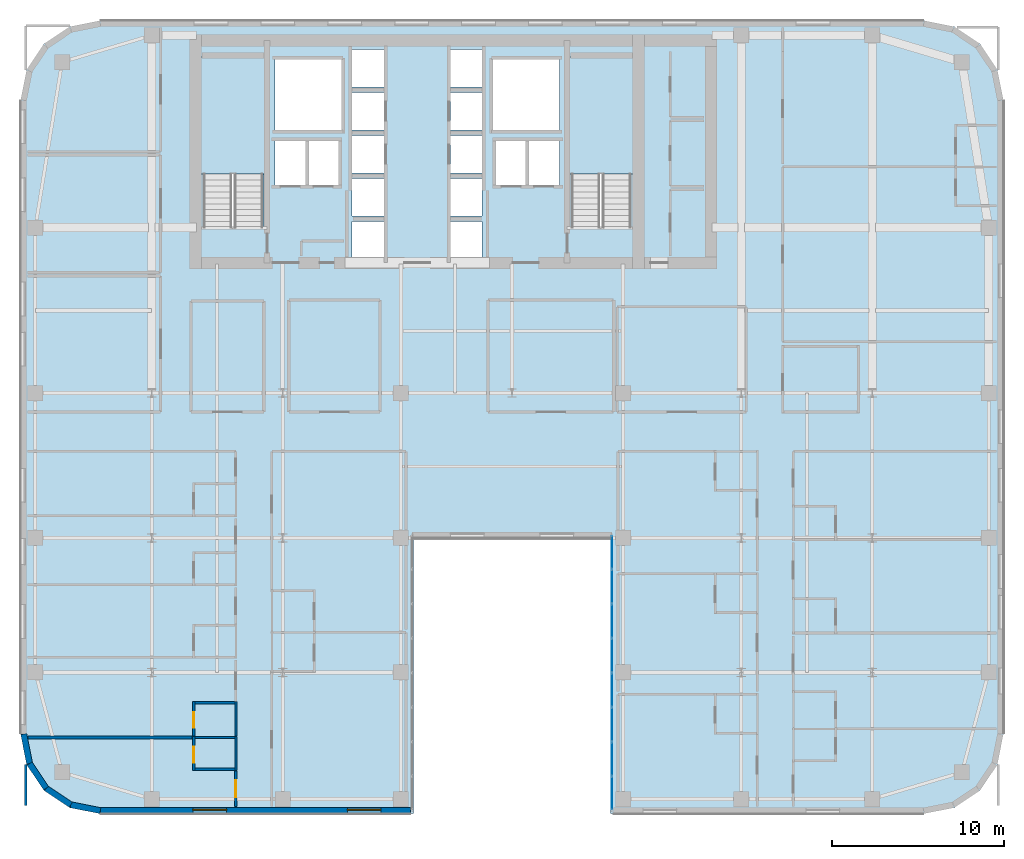
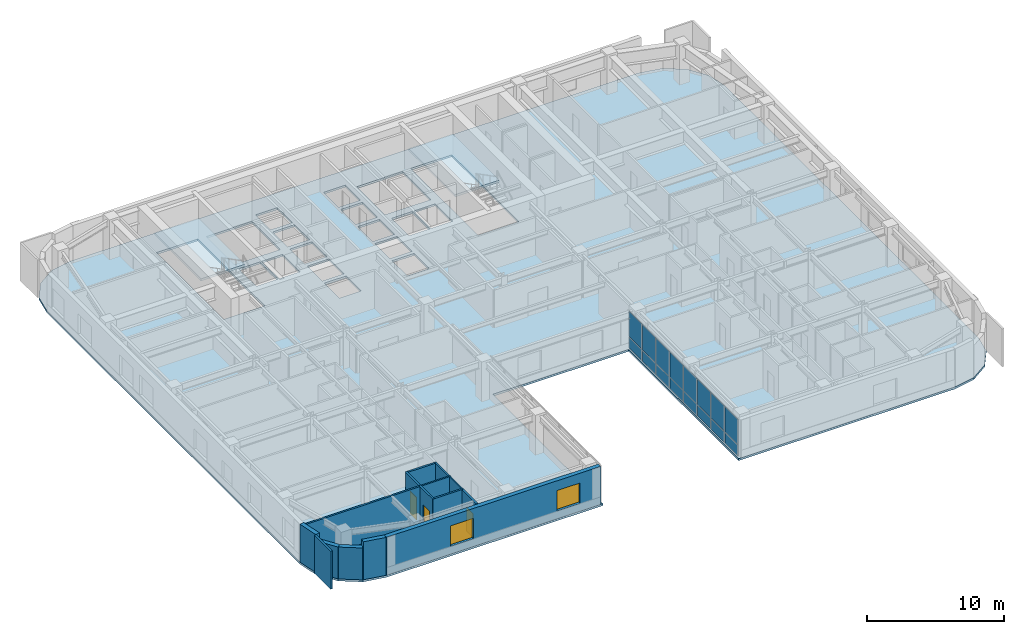
# One storey, part 13 of 25: 16 plates, 15 walls, 3 doors, 3 slabs, 2 windows, 5 openings, 3 elements without a shape of their own.
"""IFC4 building model written with IfcOpenShell, lengths in metres."""

from ifc_helpers import new_model, si_unit, direction, frame, frame_2d, origin, origin_2d, place, context, subcontext, project, spatial, polyline, rectangle, outline, extrude, source, transform, mapped, material, layer, layer_set, type_object, type_shapes, element, fill, aggregate, save


model = new_model("IFC4")

# Units and contexts
model_context = context("Model", 3, precision=1e-05, world=origin(), true_north=direction((0.0, 1.0)))
body_context = subcontext(model_context, "Body", "Model", "MODEL_VIEW")
ifc_project = project(units=[si_unit("LENGTHUNIT", "METRE"), si_unit("AREAUNIT", "SQUARE_METRE"), si_unit("VOLUMEUNIT", "CUBIC_METRE"), si_unit("PLANEANGLEUNIT", "RADIAN"), si_unit("MASSUNIT", "GRAM", prefix="KILO")], contexts=[model_context])

# Site, building, storey
site_placement = place(None, origin())
site = spatial("IfcSite", under=ifc_project, at=site_placement, CompositionType="ELEMENT")
building_placement = place(site_placement, origin())
building = spatial("IfcBuilding", under=site, at=building_placement, Name="Tolvann Quenvar Hotel", CompositionType="ELEMENT")
storey_placement = place(building_placement, frame((0.0, 0.0, 111.550048828125)))
storey = spatial("IfcBuildingStorey", under=building, at=storey_placement, Name="L28", CompositionType="ELEMENT", Elevation=111.550048828125)

# Stair, slab
ifc_material_1 = material(Name="Concrete N40 (40 MPa)", Category="concrete")
stair_type = type_object("IfcStairType", Name="STAIR", PredefinedType="HALF_TURN_STAIR", material=ifc_material_1)
stair_1_placement = place(storey_placement, origin())
stair_1 = element("IfcStair", 1, at=stair_1_placement, inside=storey, type_object=stair_type, Name="L28 ST-C1", PredefinedType="HALF_TURN_STAIR")
ifc_layer_1 = layer(ifc_material_1, 0.199951171875)
ifc_layer_set_1 = layer_set([ifc_layer_1], Name="Concrete N40 (40 MPa)")
slab_type_1 = type_object("IfcSlabType", Name="SLAB_LANDING", PredefinedType="LANDING", material=ifc_layer_set_1)
slab_1_placement = place(storey_placement, frame((0.0, 0.0, 1.574951171875)))
slab_1 = element("IfcSlab", 2, at=slab_1_placement, type_object=slab_type_1, Name="ST-C1 landing 1", PredefinedType="LANDING", context=body_context, shape_type="SweptSolid", body=[
    extrude(outline(polyline([(14.179931640625, 37.10498046875), (14.179931640625, 43.8798828125), (10.469970703125, 43.8798828125), (10.469970703125, 37.10498046875), (14.179931640625, 37.10498046875)])), origin(), (0.0, 0.0, 1.0), 0.199951171875),
])
aggregate(stair_1, [slab_1])

stair_2_placement = place(storey_placement, origin())
stair_2 = element("IfcStair", 3, at=stair_2_placement, inside=storey, type_object=stair_type, Name="L28 ST-C2", PredefinedType="HALF_TURN_STAIR")
slab_2_placement = place(storey_placement, frame((0.0, 0.0, 1.574951171875)))
slab_2 = element("IfcSlab", 4, at=slab_2_placement, type_object=slab_type_1, Name="ST-C2 landing 1", PredefinedType="LANDING", context=body_context, shape_type="SweptSolid", body=[
    extrude(outline(polyline([(35.530029296875, 37.10498046875), (35.530029296875, 43.8798828125), (31.820068359375, 43.8798828125), (31.820068359375, 37.10498046875), (35.530029296875, 37.10498046875)])), origin(), (0.0, 0.0, 1.0), 0.199951171875),
])
aggregate(stair_2, [slab_2])

# Slab
ifc_layer_2 = layer(ifc_material_1, 0.179931640625)
ifc_layer_set_2 = layer_set([ifc_layer_2], Name="Concrete N40 (40 MPa)")
slab_type_2 = type_object("IfcSlabType", Name="SLAB_TWR_180", PredefinedType="FLOOR", material=ifc_layer_set_2)
slab_3_placement = place(storey_placement, frame((0.0, 0.0, -0.179931640625)))
element("IfcSlab", 5, at=slab_3_placement, inside=storey, type_object=slab_type_2, Name="Level L28 Structural Floor Slab", PredefinedType="FLOOR", context=body_context, shape_type="SweptSolid", body=[
    extrude(outline(polyline([(0.0, 4.60009765625), (0.35009765625, 2.839599609375), (1.347412109375, 1.347412109375), (2.839599609375, 0.35009765625), (4.60009765625, 0.0), (22.800048828125, 0.0), (22.800048828125, 16.0), (34.199951171875, 16.0), (34.199951171875, 0.0), (52.39990234375, 0.0), (54.160400390625, 0.35009765625), (55.652587890625, 1.347412109375), (56.64990234375, 2.839599609375), (57.0, 4.60009765625), (57.0, 41.39990234375), (56.64990234375, 43.160400390625), (55.652587890625, 44.652587890625), (54.160400390625, 45.64990234375), (52.39990234375, 46.0), (4.60009765625, 46.0), (2.839599609375, 45.64990234375), (1.347412109375, 44.652587890625), (0.35009765625, 43.160400390625), (0.0, 41.39990234375), (0.0, 4.60009765625)]), holes=[polyline([(31.949951171875, 34.02490234375), (31.949951171875, 43.800048828125), (35.39990234375, 43.800048828125), (35.39990234375, 34.02490234375), (31.949951171875, 34.02490234375)]), polyline([(29.449951171875, 39.02001953125), (31.25, 39.02001953125), (31.25, 36.47998046875), (29.449951171875, 36.47998046875), (29.449951171875, 39.02001953125)]), polyline([(31.25, 43.75), (31.25, 39.64990234375), (27.39990234375, 39.64990234375), (27.39990234375, 43.75), (31.25, 43.75)]), polyline([(27.574951171875, 39.02001953125), (29.324951171875, 39.02001953125), (29.324951171875, 36.47998046875), (27.574951171875, 36.47998046875), (27.574951171875, 39.02001953125)]), polyline([(26.77001953125, 44.340087890625), (26.77001953125, 42.159912109375), (24.929931640625, 42.159912109375), (24.929931640625, 44.340087890625), (26.77001953125, 44.340087890625)]), polyline([(24.929931640625, 41.840087890625), (26.77001953125, 41.840087890625), (26.77001953125, 39.659912109375), (24.929931640625, 39.659912109375), (24.929931640625, 41.840087890625)]), polyline([(24.929931640625, 39.340087890625), (26.77001953125, 39.340087890625), (26.77001953125, 37.159912109375), (24.929931640625, 37.159912109375), (24.929931640625, 39.340087890625)]), polyline([(24.929931640625, 36.840087890625), (26.77001953125, 36.840087890625), (26.77001953125, 34.659912109375), (24.929931640625, 34.659912109375), (24.929931640625, 36.840087890625)]), polyline([(24.929931640625, 34.340087890625), (26.77001953125, 34.340087890625), (26.77001953125, 32.159912109375), (24.929931640625, 32.159912109375), (24.929931640625, 34.340087890625)]), polyline([(21.070068359375, 44.340087890625), (21.070068359375, 42.159912109375), (19.22998046875, 42.159912109375), (19.22998046875, 44.340087890625), (21.070068359375, 44.340087890625)]), polyline([(19.22998046875, 41.840087890625), (21.070068359375, 41.840087890625), (21.070068359375, 39.659912109375), (19.22998046875, 39.659912109375), (19.22998046875, 41.840087890625)]), polyline([(19.22998046875, 39.340087890625), (21.070068359375, 39.340087890625), (21.070068359375, 37.159912109375), (19.22998046875, 37.159912109375), (19.22998046875, 39.340087890625)]), polyline([(19.22998046875, 36.840087890625), (21.070068359375, 36.840087890625), (21.070068359375, 34.659912109375), (19.22998046875, 34.659912109375), (19.22998046875, 36.840087890625)]), polyline([(19.22998046875, 34.340087890625), (21.070068359375, 34.340087890625), (21.070068359375, 32.159912109375), (19.22998046875, 32.159912109375), (19.22998046875, 34.340087890625)]), polyline([(18.60009765625, 43.75), (18.60009765625, 39.64990234375), (14.75, 39.64990234375), (14.75, 43.75), (18.60009765625, 43.75)]), polyline([(16.675048828125, 39.02001953125), (18.425048828125, 39.02001953125), (18.425048828125, 36.47998046875), (16.675048828125, 36.47998046875), (16.675048828125, 39.02001953125)]), polyline([(14.75, 39.02001953125), (16.550048828125, 39.02001953125), (16.550048828125, 36.47998046875), (14.75, 36.47998046875), (14.75, 39.02001953125)]), polyline([(10.60009765625, 34.02490234375), (10.60009765625, 43.800048828125), (14.050048828125, 43.800048828125), (14.050048828125, 34.02490234375), (10.60009765625, 34.02490234375)])]), origin(), (0.0, 0.0, 1.0), 0.179931640625),
])

# Curtain wall, plates
ifc_material_2 = material(Name="Thermally broken anodised architectural aluminium 6063-T6 and laminated low-E glass", Category="aluminium")
ifc_layer_3 = layer(ifc_material_2, 0.179931640625)
ifc_layer_set_3 = layer_set([ifc_layer_3], Name="Thermally broken anodised architectural aluminium 6063-T6 and laminated low-E glass")
curtain_wall_type = type_object("IfcCurtainWallType", Name="CW_SYS_SLOT_03", PredefinedType="USERDEFINED", material=ifc_layer_set_3)
curtain_wall_placement = place(storey_placement, origin())
curtain_wall = element("IfcCurtainWall", 6, at=curtain_wall_placement, inside=storey, type_object=curtain_wall_type, Name="Curtain Wall CW-SLOT-03 (CWR-L28-E07)", ObjectType="UNITISED CURTAIN WALL", PredefinedType="USERDEFINED")
ifc_material_3 = material(Name="Low-iron laminated double glazing with solar-control coating", Category="glass")
ifc_layer_4 = layer(ifc_material_3, 0.028076171875)
ifc_layer_set_4 = layer_set([ifc_layer_4], Name="Low-iron laminated double glazing with solar-control coating")
plate_type = type_object("IfcPlateType", Name="CW_PAN_VISION_28", PredefinedType="CURTAIN_PANEL", material=ifc_layer_set_4)
shared_shape_1 = source(origin(), body_context, "Body", "SweptSolid", [
    extrude(rectangle(XDim=1.89501953125, YDim=0.028076171875, at=origin_2d()), origin(), (0.0, 0.0, 1.0), 0.9599609375),
])
plate_1_placement = place(storey_placement, frame((34.2900390625, 15.157470703125, 0.06005859375), z_axis=(0.0, 0.0, 1.0), x_axis=(0.0, -1.0, 0.0)))
plate_1 = element("IfcPlate", 7, at=plate_1_placement, type_object=plate_type, Name="CW-SLOT-03 panel 1.1", PredefinedType="CURTAIN_PANEL", context=body_context, shape_type="MappedRepresentation", body=[
    mapped(shared_shape_1, transform((0.0, 0.0, 0.0), x_axis=(1.0, 0.0, 0.0), y_axis=(0.0, 1.0, 0.0), z_axis=(0.0, 0.0, 1.0), scale=1.0)),
])
plate_2_placement = place(storey_placement, frame((34.2900390625, 1.1923828125, 0.06005859375), z_axis=(0.0, 0.0, 1.0), x_axis=(0.0, -1.0, 0.0)))
plate_2 = element("IfcPlate", 8, at=plate_2_placement, type_object=plate_type, Name="CW-SLOT-03 panel 8.1", PredefinedType="CURTAIN_PANEL", context=body_context, shape_type="MappedRepresentation", body=[
    mapped(shared_shape_1, transform((0.0, 0.0, 0.0), x_axis=(1.0, 0.0, 0.0), y_axis=(0.0, 1.0, 0.0), z_axis=(0.0, 0.0, 1.0), scale=1.0)),
])
shared_shape_2 = source(origin(), body_context, "Body", "SweptSolid", [
    extrude(rectangle(XDim=1.89501953125, YDim=0.028076171875, at=origin_2d()), origin(), (0.0, 0.0, 1.0), 2.22998046875),
])
plate_3_placement = place(storey_placement, frame((34.2900390625, 15.157470703125, 1.080078125), z_axis=(0.0, 0.0, 1.0), x_axis=(0.0, -1.0, 0.0)))
plate_3 = element("IfcPlate", 9, at=plate_3_placement, type_object=plate_type, Name="CW-SLOT-03 panel 1.2", PredefinedType="CURTAIN_PANEL", context=body_context, shape_type="MappedRepresentation", body=[
    mapped(shared_shape_2, transform((0.0, 0.0, 0.0), x_axis=(1.0, 0.0, 0.0), y_axis=(0.0, 1.0, 0.0), z_axis=(0.0, 0.0, 1.0), scale=1.0)),
])
plate_4_placement = place(storey_placement, frame((34.2900390625, 1.1923828125, 1.080078125), z_axis=(0.0, 0.0, 1.0), x_axis=(0.0, -1.0, 0.0)))
plate_4 = element("IfcPlate", 10, at=plate_4_placement, type_object=plate_type, Name="CW-SLOT-03 panel 8.2", PredefinedType="CURTAIN_PANEL", context=body_context, shape_type="MappedRepresentation", body=[
    mapped(shared_shape_2, transform((0.0, 0.0, 0.0), x_axis=(1.0, 0.0, 0.0), y_axis=(0.0, 1.0, 0.0), z_axis=(0.0, 0.0, 1.0), scale=1.0)),
])
shared_shape_3 = source(origin(), body_context, "Body", "SweptSolid", [
    extrude(rectangle(XDim=1.929931640625, YDim=0.028076171875, at=origin_2d()), origin(), (0.0, 0.0, 1.0), 0.9599609375),
])
plate_5_placement = place(storey_placement, frame((34.2900390625, 13.175048828125, 0.06005859375), z_axis=(0.0, 0.0, 1.0), x_axis=(0.0, -1.0, 0.0)))
plate_5 = element("IfcPlate", 11, at=plate_5_placement, type_object=plate_type, Name="CW-SLOT-03 panel 2.1", PredefinedType="CURTAIN_PANEL", context=body_context, shape_type="MappedRepresentation", body=[
    mapped(shared_shape_3, transform((0.0, 0.0, 0.0), x_axis=(1.0, 0.0, 0.0), y_axis=(0.0, 1.0, 0.0), z_axis=(0.0, 0.0, 1.0), scale=1.0)),
])
plate_6_placement = place(storey_placement, frame((34.2900390625, 11.175048828125, 0.06005859375), z_axis=(0.0, 0.0, 1.0), x_axis=(0.0, -1.0, 0.0)))
plate_6 = element("IfcPlate", 12, at=plate_6_placement, type_object=plate_type, Name="CW-SLOT-03 panel 3.1", PredefinedType="CURTAIN_PANEL", context=body_context, shape_type="MappedRepresentation", body=[
    mapped(shared_shape_3, transform((0.0, 0.0, 0.0), x_axis=(1.0, 0.0, 0.0), y_axis=(0.0, 1.0, 0.0), z_axis=(0.0, 0.0, 1.0), scale=1.0)),
])
plate_7_placement = place(storey_placement, frame((34.2900390625, 9.175048828125, 0.06005859375), z_axis=(0.0, 0.0, 1.0), x_axis=(0.0, -1.0, 0.0)))
plate_7 = element("IfcPlate", 13, at=plate_7_placement, type_object=plate_type, Name="CW-SLOT-03 panel 4.1", PredefinedType="CURTAIN_PANEL", context=body_context, shape_type="MappedRepresentation", body=[
    mapped(shared_shape_3, transform((0.0, 0.0, 0.0), x_axis=(1.0, 0.0, 0.0), y_axis=(0.0, 1.0, 0.0), z_axis=(0.0, 0.0, 1.0), scale=1.0)),
])
plate_8_placement = place(storey_placement, frame((34.2900390625, 7.175048828125, 0.06005859375), z_axis=(0.0, 0.0, 1.0), x_axis=(0.0, -1.0, 0.0)))
plate_8 = element("IfcPlate", 14, at=plate_8_placement, type_object=plate_type, Name="CW-SLOT-03 panel 5.1", PredefinedType="CURTAIN_PANEL", context=body_context, shape_type="MappedRepresentation", body=[
    mapped(shared_shape_3, transform((0.0, 0.0, 0.0), x_axis=(1.0, 0.0, 0.0), y_axis=(0.0, 1.0, 0.0), z_axis=(0.0, 0.0, 1.0), scale=1.0)),
])
plate_9_placement = place(storey_placement, frame((34.2900390625, 5.175048828125, 0.06005859375), z_axis=(0.0, 0.0, 1.0), x_axis=(0.0, -1.0, 0.0)))
plate_9 = element("IfcPlate", 15, at=plate_9_placement, type_object=plate_type, Name="CW-SLOT-03 panel 6.1", PredefinedType="CURTAIN_PANEL", context=body_context, shape_type="MappedRepresentation", body=[
    mapped(shared_shape_3, transform((0.0, 0.0, 0.0), x_axis=(1.0, 0.0, 0.0), y_axis=(0.0, 1.0, 0.0), z_axis=(0.0, 0.0, 1.0), scale=1.0)),
])
plate_10_placement = place(storey_placement, frame((34.2900390625, 3.175048828125, 0.06005859375), z_axis=(0.0, 0.0, 1.0), x_axis=(0.0, -1.0, 0.0)))
plate_10 = element("IfcPlate", 16, at=plate_10_placement, type_object=plate_type, Name="CW-SLOT-03 panel 7.1", PredefinedType="CURTAIN_PANEL", context=body_context, shape_type="MappedRepresentation", body=[
    mapped(shared_shape_3, transform((0.0, 0.0, 0.0), x_axis=(1.0, 0.0, 0.0), y_axis=(0.0, 1.0, 0.0), z_axis=(0.0, 0.0, 1.0), scale=1.0)),
])
shared_shape_4 = source(origin(), body_context, "Body", "SweptSolid", [
    extrude(rectangle(XDim=1.929931640625, YDim=0.028076171875, at=origin_2d()), origin(), (0.0, 0.0, 1.0), 2.22998046875),
])
type_shapes(plate_type, [shared_shape_1, shared_shape_2, shared_shape_3, shared_shape_4])
plate_11_placement = place(storey_placement, frame((34.2900390625, 13.175048828125, 1.080078125), z_axis=(0.0, 0.0, 1.0), x_axis=(0.0, -1.0, 0.0)))
plate_11 = element("IfcPlate", 17, at=plate_11_placement, type_object=plate_type, Name="CW-SLOT-03 panel 2.2", PredefinedType="CURTAIN_PANEL", context=body_context, shape_type="MappedRepresentation", body=[
    mapped(shared_shape_4, transform((0.0, 0.0, 0.0), x_axis=(1.0, 0.0, 0.0), y_axis=(0.0, 1.0, 0.0), z_axis=(0.0, 0.0, 1.0), scale=1.0)),
])
plate_12_placement = place(storey_placement, frame((34.2900390625, 11.175048828125, 1.080078125), z_axis=(0.0, 0.0, 1.0), x_axis=(0.0, -1.0, 0.0)))
plate_12 = element("IfcPlate", 18, at=plate_12_placement, type_object=plate_type, Name="CW-SLOT-03 panel 3.2", PredefinedType="CURTAIN_PANEL", context=body_context, shape_type="MappedRepresentation", body=[
    mapped(shared_shape_4, transform((0.0, 0.0, 0.0), x_axis=(1.0, 0.0, 0.0), y_axis=(0.0, 1.0, 0.0), z_axis=(0.0, 0.0, 1.0), scale=1.0)),
])
plate_13_placement = place(storey_placement, frame((34.2900390625, 9.175048828125, 1.080078125), z_axis=(0.0, 0.0, 1.0), x_axis=(0.0, -1.0, 0.0)))
plate_13 = element("IfcPlate", 19, at=plate_13_placement, type_object=plate_type, Name="CW-SLOT-03 panel 4.2", PredefinedType="CURTAIN_PANEL", context=body_context, shape_type="MappedRepresentation", body=[
    mapped(shared_shape_4, transform((0.0, 0.0, 0.0), x_axis=(1.0, 0.0, 0.0), y_axis=(0.0, 1.0, 0.0), z_axis=(0.0, 0.0, 1.0), scale=1.0)),
])
plate_14_placement = place(storey_placement, frame((34.2900390625, 7.175048828125, 1.080078125), z_axis=(0.0, 0.0, 1.0), x_axis=(0.0, -1.0, 0.0)))
plate_14 = element("IfcPlate", 20, at=plate_14_placement, type_object=plate_type, Name="CW-SLOT-03 panel 5.2", PredefinedType="CURTAIN_PANEL", context=body_context, shape_type="MappedRepresentation", body=[
    mapped(shared_shape_4, transform((0.0, 0.0, 0.0), x_axis=(1.0, 0.0, 0.0), y_axis=(0.0, 1.0, 0.0), z_axis=(0.0, 0.0, 1.0), scale=1.0)),
])
plate_15_placement = place(storey_placement, frame((34.2900390625, 5.175048828125, 1.080078125), z_axis=(0.0, 0.0, 1.0), x_axis=(0.0, -1.0, 0.0)))
plate_15 = element("IfcPlate", 21, at=plate_15_placement, type_object=plate_type, Name="CW-SLOT-03 panel 6.2", PredefinedType="CURTAIN_PANEL", context=body_context, shape_type="MappedRepresentation", body=[
    mapped(shared_shape_4, transform((0.0, 0.0, 0.0), x_axis=(1.0, 0.0, 0.0), y_axis=(0.0, 1.0, 0.0), z_axis=(0.0, 0.0, 1.0), scale=1.0)),
])
plate_16_placement = place(storey_placement, frame((34.2900390625, 3.175048828125, 1.080078125), z_axis=(0.0, 0.0, 1.0), x_axis=(0.0, -1.0, 0.0)))
plate_16 = element("IfcPlate", 22, at=plate_16_placement, type_object=plate_type, Name="CW-SLOT-03 panel 7.2", PredefinedType="CURTAIN_PANEL", context=body_context, shape_type="MappedRepresentation", body=[
    mapped(shared_shape_4, transform((0.0, 0.0, 0.0), x_axis=(1.0, 0.0, 0.0), y_axis=(0.0, 1.0, 0.0), z_axis=(0.0, 0.0, 1.0), scale=1.0)),
])
aggregate(curtain_wall, [plate_1, plate_3, plate_5, plate_11, plate_6, plate_12, plate_7, plate_13, plate_8, plate_14, plate_9, plate_15, plate_10, plate_16, plate_2, plate_4])

# Walls
ifc_material_4 = material(Name="Kiln-fired red and buff architectural clay brickwork and terracotta masonry", Category="masonry")
ifc_layer_5 = layer(ifc_material_4, 0.35009765625)
ifc_layer_set_5 = layer_set([ifc_layer_5], Name="Kiln-fired red and buff architectural clay brickwork and terracotta masonry")
wall_type_1 = type_object("IfcWallType", Name="WALL_EXT_BRICK_350", PredefinedType="SOLIDWALL", material=ifc_layer_set_5)
for number, where, z_axis, x_axis, name in (
    (23, (0.514892578125, 2.907958984375, 0.0), (0.0, 0.0, 1.0), (0.55554893791, -0.831483840845, 0.0), "Exterior Chicago Brick Wall L28-E01"),
    (24, (1.473388671875, 1.473388671875, 0.0), (0.0, 0.0, 1.0), (0.831483840845, -0.55554893791, 0.0), "Exterior Chicago Brick Wall L28-E02"),
):
    element("IfcWall", number, at=place(storey_placement, frame(where, z_axis=z_axis, x_axis=x_axis)), inside=storey, type_object=wall_type_1, Name=name, PredefinedType="SOLIDWALL", context=body_context, shape_type="SweptSolid", body=[
        extrude(rectangle(XDim=1.725341796875, YDim=0.35009765625, at=frame_2d((0.86279296875, 0.0))), origin(), (0.0, 0.0, 1.0), 2.83203125),
    ])
wall_1_placement = place(storey_placement, frame((2.907958984375, 0.514892578125, 0.0), z_axis=(0.0, 0.0, 1.0), x_axis=(0.980800971659, -0.195011420161, 0.0)))
element("IfcWall", 25, at=wall_1_placement, inside=storey, type_object=wall_type_1, Name="Exterior Chicago Brick Wall L28-E03", PredefinedType="SOLIDWALL", context=body_context, shape_type="SweptSolid", body=[
    extrude(rectangle(XDim=1.74267578125, YDim=0.35009765625, at=frame_2d((0.871337890625, 0.0))), origin(), (0.0, 0.0, 1.0), 3.369873046875),
])

# Wall, openings, windows
wall_2_placement = place(storey_placement, frame((4.6171875, 0.175048828125, 0.0), z_axis=(0.0, 0.0, 1.0), x_axis=(1.0, 0.0, 0.0)))
wall_2 = element("IfcWall", 26, at=wall_2_placement, inside=storey, type_object=wall_type_1, Name="Exterior Chicago Brick Wall L28-E04", PredefinedType="SOLIDWALL", context=body_context, shape_type="SweptSolid", body=[
    extrude(rectangle(XDim=18.0078125, YDim=0.35009765625, at=frame_2d((9.00390625, 0.0))), origin(), (0.0, 0.0, 1.0), 3.369873046875),
])
opening_1_placement = place(wall_2_placement, frame((5.3779296875, 0.0, 0.679931640625)))
opening_1 = element("IfcOpeningElement", 27, at=opening_1_placement, cuts=wall_2, Name="Opening W-10", PredefinedType="OPENING", context=body_context, shape_type="SweptSolid", body=[
    extrude(rectangle(XDim=1.949951171875, YDim=1.820068359375, at=frame_2d((0.97509765625, 0.91015625))), frame((0.0, 0.18505859375, 0.0), z_axis=(0.0, -1.0, 0.0), x_axis=(1.0, 0.0, 0.0)), (0.0, 0.0, 1.0), 0.3701171875),
])
opening_2_placement = place(wall_2_placement, frame((14.33203125, 0.0, 0.679931640625)))
opening_2 = element("IfcOpeningElement", 28, at=opening_2_placement, cuts=wall_2, Name="Opening W-10", PredefinedType="OPENING", context=body_context, shape_type="SweptSolid", body=[
    extrude(rectangle(XDim=1.949951171875, YDim=1.820068359375, at=frame_2d((0.97509765625, 0.91015625))), frame((0.0, 0.18505859375, 0.0), z_axis=(0.0, -1.0, 0.0), x_axis=(1.0, 0.0, 0.0)), (0.0, 0.0, 1.0), 0.3701171875),
])
ifc_material_5 = material(Name="Thermally broken bronze-anodised aluminium frame with double low-E glazing", Category="aluminium")
window_type = type_object("IfcWindowType", Name="WIN_CLB_1950x1850", PartitioningType="DOUBLE_PANEL_VERTICAL", PredefinedType="WINDOW", material=ifc_material_5)
shared_shape_5 = source(origin(), body_context, "Body", "SweptSolid", [
    extrude(rectangle(XDim=1.949951171875, YDim=1.820068359375, at=frame_2d((0.97509765625, 0.91015625))), frame((0.0, 0.090087890625, 0.0), z_axis=(0.0, -1.0, 0.0), x_axis=(1.0, 0.0, 0.0)), (0.0, 0.0, 1.0), 0.06005859375),
])
type_shapes(window_type, [shared_shape_5])
window_1_placement = place(opening_1_placement, origin())
window_1 = element("IfcWindow", 29, at=window_1_placement, inside=storey, type_object=window_type, Name="Chicago Window W-10 (EW-L28-E04-W01)", OverallHeight=1.820068359375, OverallWidth=1.949951171875, PartitioningType="DOUBLE_PANEL_VERTICAL", PredefinedType="WINDOW", context=body_context, shape_type="MappedRepresentation", body=[
    mapped(shared_shape_5, transform((0.0, 0.0, 0.0), x_axis=(1.0, 0.0, 0.0), y_axis=(0.0, 1.0, 0.0), z_axis=(0.0, 0.0, 1.0), scale=1.0)),
])
fill(opening_1, window_1)
window_2_placement = place(opening_2_placement, origin())
window_2 = element("IfcWindow", 30, at=window_2_placement, inside=storey, type_object=window_type, Name="Chicago Window W-10 (EW-L28-E04-W02)", OverallHeight=1.820068359375, OverallWidth=1.949951171875, PartitioningType="DOUBLE_PANEL_VERTICAL", PredefinedType="WINDOW", context=body_context, shape_type="MappedRepresentation", body=[
    mapped(shared_shape_5, transform((0.0, 0.0, 0.0), x_axis=(1.0, 0.0, 0.0), y_axis=(0.0, 1.0, 0.0), z_axis=(0.0, 0.0, 1.0), scale=1.0)),
])
fill(opening_2, window_2)

# Walls
wall_3_placement = place(storey_placement, frame((0.175048828125, 4.6171875, 0.0), z_axis=(0.0, 0.0, 1.0), x_axis=(0.195011420161, -0.980800971659, 0.0)))
element("IfcWall", 31, at=wall_3_placement, inside=storey, type_object=wall_type_1, Name="Exterior Chicago Brick Wall L28-E24", PredefinedType="SOLIDWALL", context=body_context, shape_type="SweptSolid", body=[
    extrude(rectangle(XDim=1.74267578125, YDim=0.35009765625, at=frame_2d((0.871337890625, 0.0))), origin(), (0.0, 0.0, 1.0), 3.369873046875),
])
ifc_material_6 = material(Name="Moisture-resistant acoustic plumbing wall assembly")
ifc_layer_6 = layer(ifc_material_6, 0.1201171875)
ifc_layer_set_6 = layer_set([ifc_layer_6], Name="Moisture-resistant acoustic plumbing wall assembly")
wall_type_2 = type_object("IfcWallType", Name="WALL_PART_BATH_120", PredefinedType="PLUMBINGWALL", material=ifc_layer_set_6)
wall_4_placement = place(storey_placement, frame((9.9599609375, 4.419921875, 0.0), z_axis=(0.0, 0.0, 1.0), x_axis=(1.0, 0.0, 0.0)))
element("IfcWall", 32, at=wall_4_placement, inside=storey, type_object=wall_type_2, Name="Non-Rated Plumbing Partition PT-SPC-L28-ENS-WO01-N", PredefinedType="PLUMBINGWALL", context=body_context, shape_type="SweptSolid", body=[
    extrude(rectangle(XDim=2.590087890625, YDim=0.1201171875, at=frame_2d((1.294921875, 0.0))), origin(), (0.0, 0.0, 1.0), 3.369873046875),
])
for number, where, z_axis, x_axis, name in (
    (33, (12.47998046875, 2.5, 0.0), (0.0, 0.0, 1.0), (0.0, 1.0, 0.0), "Non-Rated Plumbing Partition PT-SPC-L28-ENS-WO01-E"),
    (34, (12.47998046875, 4.510009765625, 0.0), (0.0, 0.0, 1.0), (0.0, 1.0, 0.0), "Non-Rated Plumbing Partition PT-SPC-L28-ENS-WO02-E"),
):
    element("IfcWall", number, at=place(storey_placement, frame(where, z_axis=z_axis, x_axis=x_axis)), inside=storey, type_object=wall_type_2, Name=name, PredefinedType="PLUMBINGWALL", context=body_context, shape_type="SweptSolid", body=[
        extrude(rectangle(XDim=1.989990234375, YDim=0.1201171875, at=frame_2d((0.9951171875, 0.0))), origin(), (0.0, 0.0, 1.0), 3.369873046875),
    ])

# Wall, opening, door
ifc_material_7 = material(Name="Acoustic twin-stud fire-rated gypsum plasterboard partition")
ifc_layer_7 = layer(ifc_material_7, 0.14990234375)
ifc_layer_set_7 = layer_set([ifc_layer_7], Name="Acoustic twin-stud fire-rated gypsum plasterboard partition")
wall_type_3 = type_object("IfcWallType", Name="WALL_PART_SUITE_150", PredefinedType="PARTITIONING", material=ifc_layer_set_7)
wall_5_placement = place(storey_placement, frame((10.030029296875, 2.5, 0.0), z_axis=(0.0, 0.0, 1.0), x_axis=(0.0, 1.0, 0.0)))
wall_5 = element("IfcWall", 35, at=wall_5_placement, inside=storey, type_object=wall_type_3, Name="Interior Partition PT-SPC-L28-ENS-WO01-ENT", PredefinedType="PARTITIONING", context=body_context, shape_type="SweptSolid", body=[
    extrude(rectangle(XDim=1.989990234375, YDim=0.14990234375, at=frame_2d((0.9951171875, 0.0))), origin(), (0.0, 0.0, 1.0), 3.369873046875),
])
opening_3_placement = place(wall_5_placement, frame((0.465087890625, 0.0, 0.0)))
opening_3 = element("IfcOpeningElement", 36, at=opening_3_placement, cuts=wall_5, Name="Opening WD-01", PredefinedType="OPENING", context=body_context, shape_type="SweptSolid", body=[
    extrude(rectangle(XDim=0.919921875, YDim=2.010009765625, at=frame_2d((0.4599609375, 1.0048828125))), frame((0.0, 0.0849609375, 0.0), z_axis=(0.0, -1.0, 0.0), x_axis=(1.0, 0.0, 0.0)), (0.0, 0.0, 1.0), 0.169921875),
])
ifc_material_8 = material(Name="Solid-core American oak acoustic fire door leaf in steel frame", Category="steel")
door_type_1 = type_object("IfcDoorType", Name="DOOR_WC_920", OperationType="NOTDEFINED", PredefinedType="DOOR", material=ifc_material_8)
shared_shape_6 = source(origin(), body_context, "Body", "SweptSolid", [
    extrude(rectangle(XDim=0.919921875, YDim=2.010009765625, at=frame_2d((0.4599609375, 1.0048828125))), frame((0.0, 0.02490234375, 0.0), z_axis=(0.0, -1.0, 0.0), x_axis=(1.0, 0.0, 0.0)), (0.0, 0.0, 1.0), 0.050048828125),
])
type_shapes(door_type_1, [shared_shape_6])
door_1_placement = place(opening_3_placement, origin())
door_1 = element("IfcDoor", 37, at=door_1_placement, inside=storey, type_object=door_type_1, Name="Interior Door DOOR-SPC-L28-ENS-WO01", OperationType="SINGLE_SWING_LEFT", OverallHeight=2.010009765625, OverallWidth=0.919921875, PredefinedType="DOOR", context=body_context, shape_type="MappedRepresentation", body=[
    mapped(shared_shape_6, transform((0.0, 0.0, 0.0), x_axis=(1.0, 0.0, 0.0), y_axis=(0.0, 1.0, 0.0), z_axis=(0.0, 0.0, 1.0), scale=1.0)),
])
fill(opening_3, door_1)

# Wall
wall_6_placement = place(storey_placement, frame((9.9599609375, 2.570068359375, 0.0), z_axis=(0.0, 0.0, 1.0), x_axis=(1.0, 0.0, 0.0)))
element("IfcWall", 38, at=wall_6_placement, inside=storey, type_object=wall_type_3, Name="Interior Partition PT-SPC-L28-ENS-WO01-S", PredefinedType="PARTITIONING", context=body_context, shape_type="SweptSolid", body=[
    extrude(rectangle(XDim=2.590087890625, YDim=0.14990234375, at=frame_2d((1.294921875, 0.0))), origin(), (0.0, 0.0, 1.0), 3.369873046875),
])

# Wall, opening, door
wall_7_placement = place(storey_placement, frame((10.030029296875, 4.510009765625, 0.0), z_axis=(0.0, 0.0, 1.0), x_axis=(0.0, 1.0, 0.0)))
wall_7 = element("IfcWall", 39, at=wall_7_placement, inside=storey, type_object=wall_type_3, Name="Interior Partition PT-SPC-L28-ENS-WO02-ENT", PredefinedType="PARTITIONING", context=body_context, shape_type="SweptSolid", body=[
    extrude(rectangle(XDim=1.989990234375, YDim=0.14990234375, at=frame_2d((0.9951171875, 0.0))), origin(), (0.0, 0.0, 1.0), 3.369873046875),
])
opening_4_placement = place(wall_7_placement, frame((0.465087890625, 0.0, 0.0)))
opening_4 = element("IfcOpeningElement", 40, at=opening_4_placement, cuts=wall_7, Name="Opening WD-01", PredefinedType="OPENING", context=body_context, shape_type="SweptSolid", body=[
    extrude(rectangle(XDim=0.919921875, YDim=2.010009765625, at=frame_2d((0.4599609375, 1.0048828125))), frame((0.0, 0.0849609375, 0.0), z_axis=(0.0, -1.0, 0.0), x_axis=(1.0, 0.0, 0.0)), (0.0, 0.0, 1.0), 0.169921875),
])
door_2_placement = place(opening_4_placement, origin())
door_2 = element("IfcDoor", 41, at=door_2_placement, inside=storey, type_object=door_type_1, Name="Interior Door DOOR-SPC-L28-ENS-WO02", OperationType="SINGLE_SWING_RIGHT", OverallHeight=2.010009765625, OverallWidth=0.919921875, PredefinedType="DOOR", context=body_context, shape_type="MappedRepresentation", body=[
    mapped(shared_shape_6, transform((0.0, 0.0, 0.0), x_axis=(1.0, 0.0, 0.0), y_axis=(0.0, 1.0, 0.0), z_axis=(0.0, 0.0, 1.0), scale=1.0)),
])
fill(opening_4, door_2)

# Wall
wall_8_placement = place(storey_placement, frame((9.9599609375, 6.429931640625, 0.0), z_axis=(0.0, 0.0, 1.0), x_axis=(1.0, 0.0, 0.0)))
element("IfcWall", 42, at=wall_8_placement, inside=storey, type_object=wall_type_3, Name="Interior Partition PT-SPC-L28-ENS-WO02-N", PredefinedType="PARTITIONING", context=body_context, shape_type="SweptSolid", body=[
    extrude(rectangle(XDim=2.590087890625, YDim=0.14990234375, at=frame_2d((1.294921875, 0.0))), origin(), (0.0, 0.0, 1.0), 3.369873046875),
])

# Wall, opening, door
wall_9_placement = place(storey_placement, frame((12.47998046875, 0.405029296875, 0.0), z_axis=(0.0, 0.0, 1.0), x_axis=(0.0, 1.0, 0.0)))
wall_9 = element("IfcWall", 43, at=wall_9_placement, inside=storey, type_object=wall_type_3, Name="Interior Partition PT-SPC-L28-RM-WO01-ENT", PredefinedType="PARTITIONING", context=body_context, shape_type="SweptSolid", body=[
    extrude(rectangle(XDim=2.0849609375, YDim=0.14990234375, at=frame_2d((1.04248046875, 0.0))), origin(), (0.0, 0.0, 1.0), 3.369873046875),
])
opening_5_placement = place(wall_9_placement, frame((0.56005859375, 0.0, 0.0)))
opening_5 = element("IfcOpeningElement", 44, at=opening_5_placement, cuts=wall_9, Name="Opening SD-01", PredefinedType="OPENING", context=body_context, shape_type="SweptSolid", body=[
    extrude(rectangle(XDim=0.97998046875, YDim=2.1201171875, at=frame_2d((0.489990234375, 1.06005859375))), frame((0.0, 0.0849609375, 0.0), z_axis=(0.0, -1.0, 0.0), x_axis=(1.0, 0.0, 0.0)), (0.0, 0.0, 1.0), 0.169921875),
])
door_type_2 = type_object("IfcDoorType", Name="DOOR_SUITE_980", OperationType="NOTDEFINED", PredefinedType="DOOR", material=ifc_material_8)
shared_shape_7 = source(origin(), body_context, "Body", "SweptSolid", [
    extrude(rectangle(XDim=0.97998046875, YDim=2.1201171875, at=frame_2d((0.489990234375, 1.06005859375))), frame((0.0, 0.02490234375, 0.0), z_axis=(0.0, -1.0, 0.0), x_axis=(1.0, 0.0, 0.0)), (0.0, 0.0, 1.0), 0.050048828125),
])
type_shapes(door_type_2, [shared_shape_7])
door_3_placement = place(opening_5_placement, origin())
door_3 = element("IfcDoor", 45, at=door_3_placement, inside=storey, type_object=door_type_2, Name="Interior Door DOOR-SPC-L28-RM-WO01", OperationType="SINGLE_SWING_RIGHT", OverallHeight=2.1201171875, OverallWidth=0.97998046875, PredefinedType="DOOR", context=body_context, shape_type="MappedRepresentation", body=[
    mapped(shared_shape_7, transform((0.0, 0.0, 0.0), x_axis=(1.0, 0.0, 0.0), y_axis=(0.0, 1.0, 0.0), z_axis=(0.0, 0.0, 1.0), scale=1.0)),
])
fill(opening_5, door_3)

# Walls
wall_10_placement = place(storey_placement, frame((0.4169921875, 4.419921875, 0.0), z_axis=(0.0, 0.0, 1.0), x_axis=(1.0, 0.0, 0.0)))
element("IfcWall", 46, at=wall_10_placement, inside=storey, type_object=wall_type_3, Name="Interior Partition PT-SPC-L28-RM-WO01-E5", PredefinedType="PARTITIONING", context=body_context, shape_type="SweptSolid", body=[
    extrude(rectangle(XDim=9.532958984375, YDim=0.14990234375, at=frame_2d((4.7666015625, 0.0))), origin(), (0.0, 0.0, 1.0), 3.369873046875),
])
wall_11_placement = place(storey_placement, frame((0.300048828125, 0.47998046875, 0.0), z_axis=(0.0, 0.0, 1.0), x_axis=(0.0, 1.0, 0.0)))
element("IfcWall", 47, at=wall_11_placement, inside=storey, type_object=wall_type_3, Name="Interior Partition PT-SPC-L28-RM-WO01-E6", PredefinedType="PARTITIONING", context=body_context, shape_type="SweptSolid", body=[
    extrude(rectangle(XDim=2.385009765625, YDim=0.14990234375, at=frame_2d((1.1923828125, 0.0))), origin(), (0.0, 0.0, 1.0), 3.369873046875),
])

save(model, "model.ifc")
